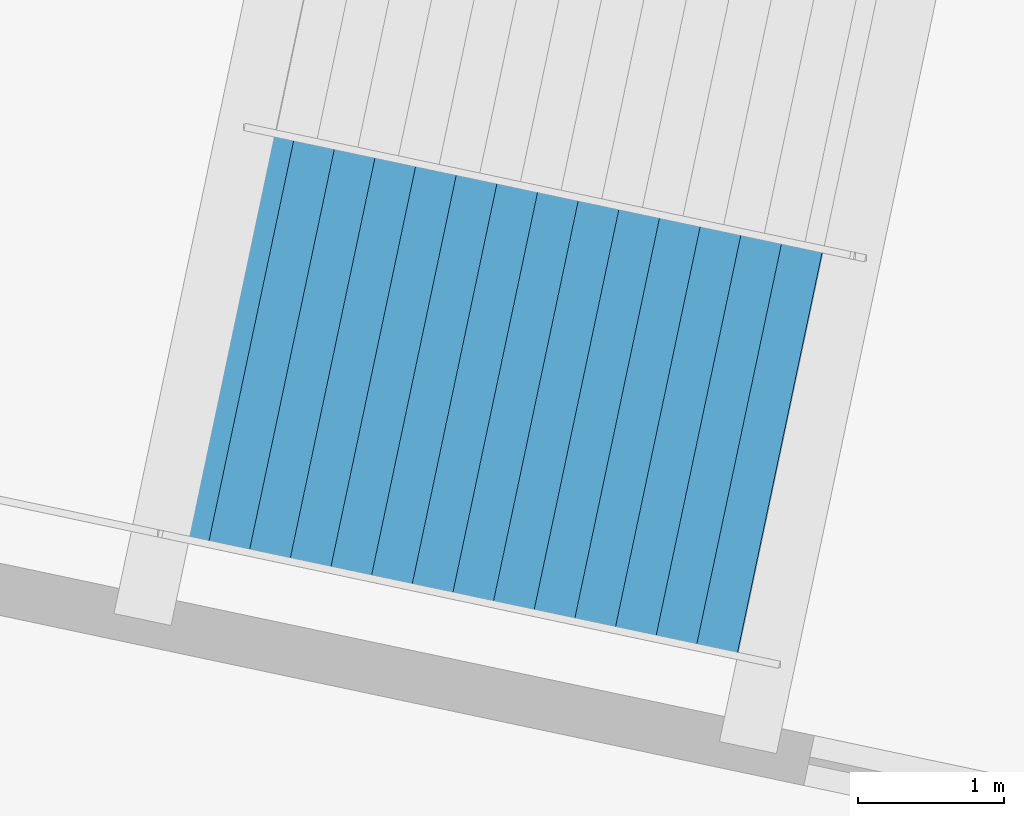
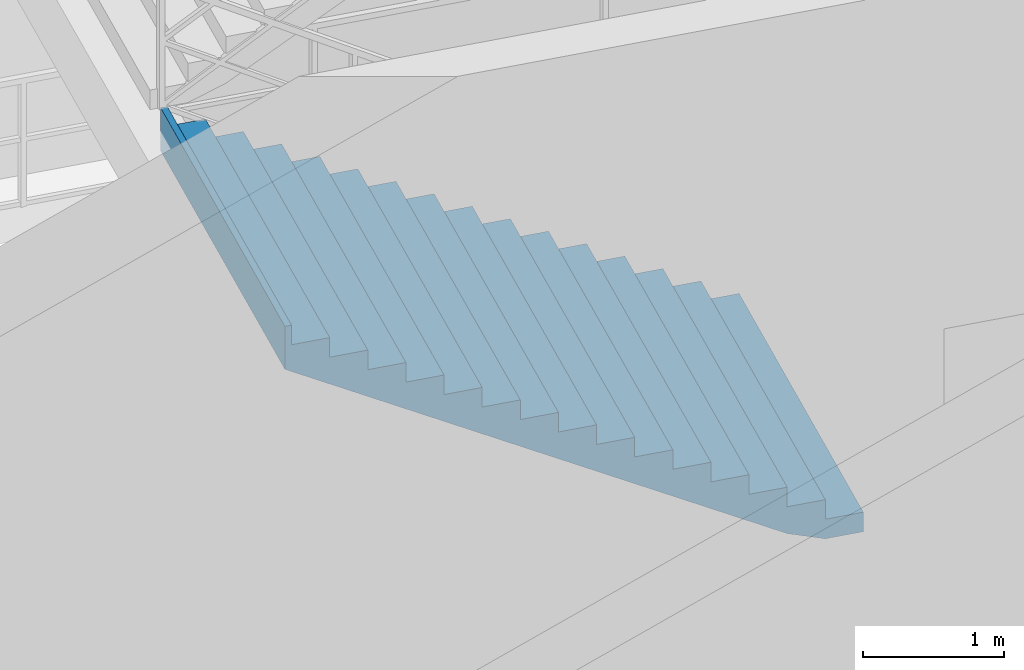
# One storey, part 167 of 186: 1 stair flight, 1 element without a shape of its own.
"""IFC4 building model written with IfcOpenShell, lengths in metres."""

from ifc_helpers import new_model, si_unit, direction, frame, origin, place, context, subcontext, project, spatial, polygons, material, type_object, element, aggregate, save


model = new_model("IFC4")

# Units and contexts
model_context = context("Model", 3, precision=1e-05, world=origin(), true_north=direction((0.0, 1.0)))
body_context = subcontext(model_context, "Body", "Model", "MODEL_VIEW")
ifc_project = project(units=[si_unit("LENGTHUNIT", "METRE"), si_unit("AREAUNIT", "SQUARE_METRE"), si_unit("VOLUMEUNIT", "CUBIC_METRE"), si_unit("PLANEANGLEUNIT", "RADIAN"), si_unit("MASSUNIT", "GRAM", prefix="KILO")], contexts=[model_context])

# Site, building, storey
site_placement = place(None, origin())
site = spatial("IfcSite", under=ifc_project, at=site_placement, CompositionType="ELEMENT")
building_placement = place(site_placement, origin())
building = spatial("IfcBuilding", under=site, at=building_placement, Name="Kazemori Nagisa Stadium", CompositionType="ELEMENT")
storey_placement = place(building_placement, frame((0.0, 0.0, 20.39990234375)))
storey = spatial("IfcBuildingStorey", under=building, at=storey_placement, Name="L04", CompositionType="ELEMENT", Elevation=20.39990234375)

# Stair, stair flight
ifc_material = material(Name="Concrete C36/45 (Fc36)", Category="concrete")
stair_type = type_object("IfcStairType", Name="Stair_CORE_32", PredefinedType="TWO_STRAIGHT_RUN_STAIR", material=ifc_material)
stair_placement = place(storey_placement, origin())
stair = element("IfcStair", 1, at=stair_placement, inside=storey, type_object=stair_type, Name="Exit stair ST11 L04", PredefinedType="TWO_STRAIGHT_RUN_STAIR")
stair_flight_type = type_object("IfcStairFlightType", Name="Flight_CORE_16", PredefinedType="STRAIGHT", material=ifc_material)
stair_flight_placement = place(storey_placement, frame((158.251953125, 176.464111328125, 0.0), z_axis=(0.0, 0.0, 1.0), x_axis=(-0.97834814647, 0.206965949612, 0.0)))
stair_flight = element("IfcStairFlight", 2, at=stair_flight_placement, type_object=stair_flight_type, Name="Exit stair ST11 L04 flight 1", NumberOfRisers=16, NumberOfTreads=15, PredefinedType="STRAIGHT", RiserHeight=0.17, TreadLength=0.285, context=body_context, shape_type="Tessellation", body=[
    polygons([(0.0, -1.425048828125, 0.0), (0.0, -1.425048828125, 0.169921875), (0.284912109375, -1.425048828125, 0.169921875), (0.284912109375, -1.425048828125, 0.340087890625), (0.570068359375, -1.425048828125, 0.340087890625), (0.570068359375, -1.425048828125, 0.510009765625), (0.85498046875, -1.425048828125, 0.510009765625), (0.85498046875, -1.425048828125, 0.679931640625), (1.139892578125, -1.425048828125, 0.679931640625), (1.139892578125, -1.425048828125, 0.85009765625), (1.425048828125, -1.425048828125, 0.85009765625), (1.425048828125, -1.425048828125, 1.02001953125), (1.7099609375, -1.425048828125, 1.02001953125), (1.7099609375, -1.425048828125, 1.18994140625), (1.9951171875, -1.425048828125, 1.18994140625), (1.9951171875, -1.425048828125, 1.360107421875), (2.280029296875, -1.425048828125, 1.360107421875), (2.280029296875, -1.425048828125, 1.530029296875), (2.56494140625, -1.425048828125, 1.530029296875), (2.56494140625, -1.425048828125, 1.699951171875), (2.85009765625, -1.425048828125, 1.699951171875), (2.85009765625, -1.425048828125, 1.8701171875), (3.135009765625, -1.425048828125, 1.8701171875), (3.135009765625, -1.425048828125, 2.0400390625), (3.419921875, -1.425048828125, 2.0400390625), (3.419921875, -1.425048828125, 2.2099609375), (3.705078125, -1.425048828125, 2.2099609375), (3.705078125, -1.425048828125, 2.3798828125), (3.989990234375, -1.425048828125, 2.3798828125), (3.989990234375, -1.425048828125, 2.550048828125), (4.27490234375, -1.425048828125, 2.550048828125), (4.27490234375, -1.425048828125, 2.719970703125), (4.324951171875, -1.425048828125, 2.719970703125), (4.324951171875, -1.425048828125, 2.346923828125), (4.27490234375, -1.425048828125, 2.317138671875), (3.989990234375, -1.425048828125, 2.147216796875), (3.705078125, -1.425048828125, 1.977294921875), (3.419921875, -1.425048828125, 1.80712890625), (3.135009765625, -1.425048828125, 1.63720703125), (2.85009765625, -1.425048828125, 1.46728515625), (2.56494140625, -1.425048828125, 1.297119140625), (2.280029296875, -1.425048828125, 1.127197265625), (1.9951171875, -1.425048828125, 0.957275390625), (1.7099609375, -1.425048828125, 0.787109375), (1.425048828125, -1.425048828125, 0.6171875), (1.139892578125, -1.425048828125, 0.447265625), (0.85498046875, -1.425048828125, 0.277099609375), (0.570068359375, -1.425048828125, 0.107177734375), (0.284912109375, -1.425048828125, 0.0), (0.0, -0.08544921875, 0.0), (0.0, -0.08544921875, 0.169921875), (0.284912109375, -0.08544921875, 0.169921875), (0.284912109375, -0.08544921875, 0.340087890625), (0.570068359375, -0.08544921875, 0.340087890625), (0.570068359375, -0.08544921875, 0.510009765625), (0.85498046875, -0.08544921875, 0.510009765625), (0.85498046875, -0.08544921875, 0.679931640625), (1.139892578125, -0.08544921875, 0.679931640625), (1.139892578125, -0.08544921875, 0.85009765625), (1.425048828125, -0.08544921875, 0.85009765625), (1.425048828125, -0.08544921875, 1.02001953125), (1.7099609375, -0.08544921875, 1.02001953125), (1.7099609375, -0.08544921875, 1.18994140625), (1.9951171875, -0.08544921875, 1.18994140625), (1.9951171875, -0.08544921875, 1.360107421875), (2.280029296875, -0.08544921875, 1.360107421875), (2.280029296875, -0.08544921875, 1.530029296875), (2.56494140625, -0.08544921875, 1.530029296875), (2.56494140625, -0.08544921875, 1.699951171875), (2.85009765625, -0.08544921875, 1.699951171875), (2.85009765625, -0.08544921875, 1.8701171875), (3.135009765625, -0.08544921875, 1.8701171875), (3.135009765625, -0.08544921875, 2.0400390625), (3.419921875, -0.08544921875, 2.0400390625), (3.419921875, -0.08544921875, 2.2099609375), (3.705078125, -0.08544921875, 2.2099609375), (3.705078125, -0.08544921875, 2.3798828125), (3.989990234375, -0.08544921875, 2.3798828125), (3.989990234375, -0.08544921875, 2.550048828125), (4.27490234375, -0.08544921875, 2.550048828125), (4.27490234375, -0.08544921875, 2.719970703125), (4.324951171875, -0.08544921875, 2.719970703125), (4.324951171875, -0.08544921875, 2.346923828125), (4.27490234375, -0.08544921875, 2.317138671875), (3.989990234375, -0.08544921875, 2.147216796875), (3.705078125, -0.08544921875, 1.977294921875), (3.419921875, -0.08544921875, 1.80712890625), (3.135009765625, -0.08544921875, 1.63720703125), (2.85009765625, -0.08544921875, 1.46728515625), (2.56494140625, -0.08544921875, 1.297119140625), (2.280029296875, -0.08544921875, 1.127197265625), (1.9951171875, -0.08544921875, 0.957275390625), (1.7099609375, -0.08544921875, 0.787109375), (1.425048828125, -0.08544921875, 0.6171875), (1.139892578125, -0.08544921875, 0.447265625), (0.85498046875, -0.08544921875, 0.277099609375), (0.570068359375, -0.08544921875, 0.107177734375), (0.284912109375, -0.08544921875, 0.0), (0.0, 0.0, 0.0), (0.0, 0.0, 0.169921875), (0.284912109375, 0.0, 0.169921875), (0.284912109375, 0.0, 0.340087890625), (0.570068359375, 0.0, 0.340087890625), (0.570068359375, 0.0, 0.510009765625), (0.85498046875, 0.0, 0.510009765625), (0.85498046875, 0.0, 0.679931640625), (1.139892578125, 0.0, 0.679931640625), (1.139892578125, 0.0, 0.85009765625), (1.425048828125, 0.0, 0.85009765625), (1.425048828125, 0.0, 1.02001953125), (1.7099609375, 0.0, 1.02001953125), (1.7099609375, 0.0, 1.18994140625), (1.9951171875, 0.0, 1.18994140625), (1.9951171875, 0.0, 1.360107421875), (2.280029296875, 0.0, 1.360107421875), (2.280029296875, 0.0, 1.530029296875), (2.56494140625, 0.0, 1.530029296875), (2.56494140625, 0.0, 1.699951171875), (2.85009765625, 0.0, 1.699951171875), (2.85009765625, 0.0, 1.8701171875), (3.135009765625, 0.0, 1.8701171875), (3.135009765625, 0.0, 2.0400390625), (3.419921875, 0.0, 2.0400390625), (3.419921875, 0.0, 2.2099609375), (3.705078125, 0.0, 2.2099609375), (3.705078125, 0.0, 2.3798828125), (3.989990234375, 0.0, 2.3798828125), (3.989990234375, 0.0, 2.550048828125), (4.27490234375, 0.0, 2.550048828125), (4.27490234375, 0.0, 2.719970703125), (4.324951171875, 0.0, 2.719970703125), (4.324951171875, 0.0, 2.346923828125), (4.27490234375, 0.0, 2.317138671875), (3.989990234375, 0.0, 2.147216796875), (3.705078125, 0.0, 1.977294921875), (3.419921875, 0.0, 1.80712890625), (3.135009765625, 0.0, 1.63720703125), (2.85009765625, 0.0, 1.46728515625), (2.56494140625, 0.0, 1.297119140625), (2.280029296875, 0.0, 1.127197265625), (1.9951171875, 0.0, 0.957275390625), (1.7099609375, 0.0, 0.787109375), (1.425048828125, 0.0, 0.6171875), (1.139892578125, 0.0, 0.447265625), (0.85498046875, 0.0, 0.277099609375), (0.570068359375, 0.0, 0.107177734375), (0.284912109375, 0.0, 0.0), (0.0, 0.08544921875, 0.0), (0.0, 0.08544921875, 0.169921875), (0.284912109375, 0.08544921875, 0.169921875), (0.284912109375, 0.08544921875, 0.340087890625), (0.570068359375, 0.08544921875, 0.340087890625), (0.570068359375, 0.08544921875, 0.510009765625), (0.85498046875, 0.08544921875, 0.510009765625), (0.85498046875, 0.08544921875, 0.679931640625), (1.139892578125, 0.08544921875, 0.679931640625), (1.139892578125, 0.08544921875, 0.85009765625), (1.425048828125, 0.08544921875, 0.85009765625), (1.425048828125, 0.08544921875, 1.02001953125), (1.7099609375, 0.08544921875, 1.02001953125), (1.7099609375, 0.08544921875, 1.18994140625), (1.9951171875, 0.08544921875, 1.18994140625), (1.9951171875, 0.08544921875, 1.360107421875), (2.280029296875, 0.08544921875, 1.360107421875), (2.280029296875, 0.08544921875, 1.530029296875), (2.56494140625, 0.08544921875, 1.530029296875), (2.56494140625, 0.08544921875, 1.699951171875), (2.85009765625, 0.08544921875, 1.699951171875), (2.85009765625, 0.08544921875, 1.8701171875), (3.135009765625, 0.08544921875, 1.8701171875), (3.135009765625, 0.08544921875, 2.0400390625), (3.419921875, 0.08544921875, 2.0400390625), (3.419921875, 0.08544921875, 2.2099609375), (3.705078125, 0.08544921875, 2.2099609375), (3.705078125, 0.08544921875, 2.3798828125), (3.989990234375, 0.08544921875, 2.3798828125), (3.989990234375, 0.08544921875, 2.550048828125), (4.27490234375, 0.08544921875, 2.550048828125), (4.27490234375, 0.08544921875, 2.719970703125), (4.324951171875, 0.08544921875, 2.719970703125), (4.324951171875, 0.08544921875, 2.346923828125), (4.27490234375, 0.08544921875, 2.317138671875), (3.989990234375, 0.08544921875, 2.147216796875), (3.705078125, 0.08544921875, 1.977294921875), (3.419921875, 0.08544921875, 1.80712890625), (3.135009765625, 0.08544921875, 1.63720703125), (2.85009765625, 0.08544921875, 1.46728515625), (2.56494140625, 0.08544921875, 1.297119140625), (2.280029296875, 0.08544921875, 1.127197265625), (1.9951171875, 0.08544921875, 0.957275390625), (1.7099609375, 0.08544921875, 0.787109375), (1.425048828125, 0.08544921875, 0.6171875), (1.139892578125, 0.08544921875, 0.447265625), (0.85498046875, 0.08544921875, 0.277099609375), (0.570068359375, 0.08544921875, 0.107177734375), (0.284912109375, 0.08544921875, 0.0), (0.0, 1.425048828125, 0.0), (0.0, 1.425048828125, 0.169921875), (0.284912109375, 1.425048828125, 0.169921875), (0.284912109375, 1.425048828125, 0.340087890625), (0.570068359375, 1.425048828125, 0.340087890625), (0.570068359375, 1.425048828125, 0.510009765625), (0.85498046875, 1.425048828125, 0.510009765625), (0.85498046875, 1.425048828125, 0.679931640625), (1.139892578125, 1.425048828125, 0.679931640625), (1.139892578125, 1.425048828125, 0.85009765625), (1.425048828125, 1.425048828125, 0.85009765625), (1.425048828125, 1.425048828125, 1.02001953125), (1.7099609375, 1.425048828125, 1.02001953125), (1.7099609375, 1.425048828125, 1.18994140625), (1.9951171875, 1.425048828125, 1.18994140625), (1.9951171875, 1.425048828125, 1.360107421875), (2.280029296875, 1.425048828125, 1.360107421875), (2.280029296875, 1.425048828125, 1.530029296875), (2.56494140625, 1.425048828125, 1.530029296875), (2.56494140625, 1.425048828125, 1.699951171875), (2.85009765625, 1.425048828125, 1.699951171875), (2.85009765625, 1.425048828125, 1.8701171875), (3.135009765625, 1.425048828125, 1.8701171875), (3.135009765625, 1.425048828125, 2.0400390625), (3.419921875, 1.425048828125, 2.0400390625), (3.419921875, 1.425048828125, 2.2099609375), (3.705078125, 1.425048828125, 2.2099609375), (3.705078125, 1.425048828125, 2.3798828125), (3.989990234375, 1.425048828125, 2.3798828125), (3.989990234375, 1.425048828125, 2.550048828125), (4.27490234375, 1.425048828125, 2.550048828125), (4.27490234375, 1.425048828125, 2.719970703125), (4.324951171875, 1.425048828125, 2.719970703125), (4.324951171875, 1.425048828125, 2.346923828125), (4.27490234375, 1.425048828125, 2.317138671875), (3.989990234375, 1.425048828125, 2.147216796875), (3.705078125, 1.425048828125, 1.977294921875), (3.419921875, 1.425048828125, 1.80712890625), (3.135009765625, 1.425048828125, 1.63720703125), (2.85009765625, 1.425048828125, 1.46728515625), (2.56494140625, 1.425048828125, 1.297119140625), (2.280029296875, 1.425048828125, 1.127197265625), (1.9951171875, 1.425048828125, 0.957275390625), (1.7099609375, 1.425048828125, 0.787109375), (1.425048828125, 1.425048828125, 0.6171875), (1.139892578125, 1.425048828125, 0.447265625), (0.85498046875, 1.425048828125, 0.277099609375), (0.570068359375, 1.425048828125, 0.107177734375), (0.284912109375, 1.425048828125, 0.0)], [[[1, 2, 51]], [[1, 51, 50]], [[2, 3, 52]], [[2, 52, 51]], [[3, 4, 53]], [[3, 53, 52]], [[4, 5, 54]], [[4, 54, 53]], [[5, 6, 55]], [[5, 55, 54]], [[6, 7, 56]], [[6, 56, 55]], [[7, 8, 57]], [[7, 57, 56]], [[8, 9, 58]], [[8, 58, 57]], [[9, 10, 59]], [[9, 59, 58]], [[10, 11, 60]], [[10, 60, 59]], [[11, 12, 61]], [[11, 61, 60]], [[12, 13, 62]], [[12, 62, 61]], [[13, 14, 63]], [[13, 63, 62]], [[14, 15, 64]], [[14, 64, 63]], [[15, 16, 65]], [[15, 65, 64]], [[16, 17, 66]], [[16, 66, 65]], [[17, 18, 67]], [[17, 67, 66]], [[18, 19, 68]], [[18, 68, 67]], [[19, 20, 69]], [[19, 69, 68]], [[20, 21, 70]], [[20, 70, 69]], [[21, 22, 71]], [[21, 71, 70]], [[22, 23, 72]], [[22, 72, 71]], [[23, 24, 73]], [[23, 73, 72]], [[24, 25, 74]], [[24, 74, 73]], [[25, 26, 75]], [[25, 75, 74]], [[26, 27, 76]], [[26, 76, 75]], [[27, 28, 77]], [[27, 77, 76]], [[28, 29, 78]], [[28, 78, 77]], [[29, 30, 79]], [[29, 79, 78]], [[30, 31, 80]], [[30, 80, 79]], [[31, 32, 81]], [[31, 81, 80]], [[32, 33, 82]], [[32, 82, 81]], [[33, 34, 83]], [[33, 83, 82]], [[34, 35, 84]], [[34, 84, 83]], [[35, 36, 85]], [[35, 85, 84]], [[36, 37, 86]], [[36, 86, 85]], [[37, 38, 87]], [[37, 87, 86]], [[38, 39, 88]], [[38, 88, 87]], [[39, 40, 89]], [[39, 89, 88]], [[40, 41, 90]], [[40, 90, 89]], [[41, 42, 91]], [[41, 91, 90]], [[42, 43, 92]], [[42, 92, 91]], [[43, 44, 93]], [[43, 93, 92]], [[44, 45, 94]], [[44, 94, 93]], [[45, 46, 95]], [[45, 95, 94]], [[46, 47, 96]], [[46, 96, 95]], [[47, 48, 97]], [[47, 97, 96]], [[48, 49, 98]], [[48, 98, 97]], [[49, 1, 50]], [[49, 50, 98]], [[50, 51, 100]], [[50, 100, 99]], [[51, 52, 101]], [[51, 101, 100]], [[52, 53, 102]], [[52, 102, 101]], [[53, 54, 103]], [[53, 103, 102]], [[54, 55, 104]], [[54, 104, 103]], [[55, 56, 105]], [[55, 105, 104]], [[56, 57, 106]], [[56, 106, 105]], [[57, 58, 107]], [[57, 107, 106]], [[58, 59, 108]], [[58, 108, 107]], [[59, 60, 109]], [[59, 109, 108]], [[60, 61, 110]], [[60, 110, 109]], [[61, 62, 111]], [[61, 111, 110]], [[62, 63, 112]], [[62, 112, 111]], [[63, 64, 113]], [[63, 113, 112]], [[64, 65, 114]], [[64, 114, 113]], [[65, 66, 115]], [[65, 115, 114]], [[66, 67, 116]], [[66, 116, 115]], [[67, 68, 117]], [[67, 117, 116]], [[68, 69, 118]], [[68, 118, 117]], [[69, 70, 119]], [[69, 119, 118]], [[70, 71, 120]], [[70, 120, 119]], [[71, 72, 121]], [[71, 121, 120]], [[72, 73, 122]], [[72, 122, 121]], [[73, 74, 123]], [[73, 123, 122]], [[74, 75, 124]], [[74, 124, 123]], [[75, 76, 125]], [[75, 125, 124]], [[76, 77, 126]], [[76, 126, 125]], [[77, 78, 127]], [[77, 127, 126]], [[78, 79, 128]], [[78, 128, 127]], [[79, 80, 129]], [[79, 129, 128]], [[80, 81, 130]], [[80, 130, 129]], [[81, 82, 131]], [[81, 131, 130]], [[82, 83, 132]], [[82, 132, 131]], [[83, 84, 133]], [[83, 133, 132]], [[84, 85, 134]], [[84, 134, 133]], [[85, 86, 135]], [[85, 135, 134]], [[86, 87, 136]], [[86, 136, 135]], [[87, 88, 137]], [[87, 137, 136]], [[88, 89, 138]], [[88, 138, 137]], [[89, 90, 139]], [[89, 139, 138]], [[90, 91, 140]], [[90, 140, 139]], [[91, 92, 141]], [[91, 141, 140]], [[92, 93, 142]], [[92, 142, 141]], [[93, 94, 143]], [[93, 143, 142]], [[94, 95, 144]], [[94, 144, 143]], [[95, 96, 145]], [[95, 145, 144]], [[96, 97, 146]], [[96, 146, 145]], [[97, 98, 147]], [[97, 147, 146]], [[98, 50, 99]], [[98, 99, 147]], [[99, 100, 149]], [[99, 149, 148]], [[100, 101, 150]], [[100, 150, 149]], [[101, 102, 151]], [[101, 151, 150]], [[102, 103, 152]], [[102, 152, 151]], [[103, 104, 153]], [[103, 153, 152]], [[104, 105, 154]], [[104, 154, 153]], [[105, 106, 155]], [[105, 155, 154]], [[106, 107, 156]], [[106, 156, 155]], [[107, 108, 157]], [[107, 157, 156]], [[108, 109, 158]], [[108, 158, 157]], [[109, 110, 159]], [[109, 159, 158]], [[110, 111, 160]], [[110, 160, 159]], [[111, 112, 161]], [[111, 161, 160]], [[112, 113, 162]], [[112, 162, 161]], [[113, 114, 163]], [[113, 163, 162]], [[114, 115, 164]], [[114, 164, 163]], [[115, 116, 165]], [[115, 165, 164]], [[116, 117, 166]], [[116, 166, 165]], [[117, 118, 167]], [[117, 167, 166]], [[118, 119, 168]], [[118, 168, 167]], [[119, 120, 169]], [[119, 169, 168]], [[120, 121, 170]], [[120, 170, 169]], [[121, 122, 171]], [[121, 171, 170]], [[122, 123, 172]], [[122, 172, 171]], [[123, 124, 173]], [[123, 173, 172]], [[124, 125, 174]], [[124, 174, 173]], [[125, 126, 175]], [[125, 175, 174]], [[126, 127, 176]], [[126, 176, 175]], [[127, 128, 177]], [[127, 177, 176]], [[128, 129, 178]], [[128, 178, 177]], [[129, 130, 179]], [[129, 179, 178]], [[130, 131, 180]], [[130, 180, 179]], [[131, 132, 181]], [[131, 181, 180]], [[132, 133, 182]], [[132, 182, 181]], [[133, 134, 183]], [[133, 183, 182]], [[134, 135, 184]], [[134, 184, 183]], [[135, 136, 185]], [[135, 185, 184]], [[136, 137, 186]], [[136, 186, 185]], [[137, 138, 187]], [[137, 187, 186]], [[138, 139, 188]], [[138, 188, 187]], [[139, 140, 189]], [[139, 189, 188]], [[140, 141, 190]], [[140, 190, 189]], [[141, 142, 191]], [[141, 191, 190]], [[142, 143, 192]], [[142, 192, 191]], [[143, 144, 193]], [[143, 193, 192]], [[144, 145, 194]], [[144, 194, 193]], [[145, 146, 195]], [[145, 195, 194]], [[146, 147, 196]], [[146, 196, 195]], [[147, 99, 148]], [[147, 148, 196]], [[148, 149, 198]], [[148, 198, 197]], [[149, 150, 199]], [[149, 199, 198]], [[150, 151, 200]], [[150, 200, 199]], [[151, 152, 201]], [[151, 201, 200]], [[152, 153, 202]], [[152, 202, 201]], [[153, 154, 203]], [[153, 203, 202]], [[154, 155, 204]], [[154, 204, 203]], [[155, 156, 205]], [[155, 205, 204]], [[156, 157, 206]], [[156, 206, 205]], [[157, 158, 207]], [[157, 207, 206]], [[158, 159, 208]], [[158, 208, 207]], [[159, 160, 209]], [[159, 209, 208]], [[160, 161, 210]], [[160, 210, 209]], [[161, 162, 211]], [[161, 211, 210]], [[162, 163, 212]], [[162, 212, 211]], [[163, 164, 213]], [[163, 213, 212]], [[164, 165, 214]], [[164, 214, 213]], [[165, 166, 215]], [[165, 215, 214]], [[166, 167, 216]], [[166, 216, 215]], [[167, 168, 217]], [[167, 217, 216]], [[168, 169, 218]], [[168, 218, 217]], [[169, 170, 219]], [[169, 219, 218]], [[170, 171, 220]], [[170, 220, 219]], [[171, 172, 221]], [[171, 221, 220]], [[172, 173, 222]], [[172, 222, 221]], [[173, 174, 223]], [[173, 223, 222]], [[174, 175, 224]], [[174, 224, 223]], [[175, 176, 225]], [[175, 225, 224]], [[176, 177, 226]], [[176, 226, 225]], [[177, 178, 227]], [[177, 227, 226]], [[178, 179, 228]], [[178, 228, 227]], [[179, 180, 229]], [[179, 229, 228]], [[180, 181, 230]], [[180, 230, 229]], [[181, 182, 231]], [[181, 231, 230]], [[182, 183, 232]], [[182, 232, 231]], [[183, 184, 233]], [[183, 233, 232]], [[184, 185, 234]], [[184, 234, 233]], [[185, 186, 235]], [[185, 235, 234]], [[186, 187, 236]], [[186, 236, 235]], [[187, 188, 237]], [[187, 237, 236]], [[188, 189, 238]], [[188, 238, 237]], [[189, 190, 239]], [[189, 239, 238]], [[190, 191, 240]], [[190, 240, 239]], [[191, 192, 241]], [[191, 241, 240]], [[192, 193, 242]], [[192, 242, 241]], [[193, 194, 243]], [[193, 243, 242]], [[194, 195, 244]], [[194, 244, 243]], [[195, 196, 245]], [[195, 245, 244]], [[196, 148, 197]], [[196, 197, 245]], [[3, 2, 1]], [[197, 198, 199]], [[49, 3, 1]], [[197, 199, 245]], [[48, 3, 49]], [[245, 199, 244]], [[5, 3, 48]], [[244, 199, 201]], [[5, 4, 3]], [[199, 200, 201]], [[47, 5, 48]], [[244, 201, 243]], [[7, 5, 47]], [[243, 201, 203]], [[7, 6, 5]], [[201, 202, 203]], [[46, 7, 47]], [[243, 203, 242]], [[9, 7, 46]], [[242, 203, 205]], [[9, 8, 7]], [[203, 204, 205]], [[45, 9, 46]], [[242, 205, 241]], [[11, 9, 45]], [[241, 205, 207]], [[11, 10, 9]], [[205, 206, 207]], [[44, 11, 45]], [[241, 207, 240]], [[13, 11, 44]], [[240, 207, 209]], [[13, 12, 11]], [[207, 208, 209]], [[43, 13, 44]], [[240, 209, 239]], [[15, 13, 43]], [[239, 209, 211]], [[15, 14, 13]], [[209, 210, 211]], [[42, 15, 43]], [[239, 211, 238]], [[17, 15, 42]], [[238, 211, 213]], [[17, 16, 15]], [[211, 212, 213]], [[41, 17, 42]], [[238, 213, 237]], [[19, 17, 41]], [[237, 213, 215]], [[19, 18, 17]], [[213, 214, 215]], [[40, 19, 41]], [[237, 215, 236]], [[21, 19, 40]], [[236, 215, 217]], [[21, 20, 19]], [[215, 216, 217]], [[39, 21, 40]], [[236, 217, 235]], [[23, 21, 39]], [[235, 217, 219]], [[23, 22, 21]], [[217, 218, 219]], [[38, 23, 39]], [[235, 219, 234]], [[25, 23, 38]], [[234, 219, 221]], [[25, 24, 23]], [[219, 220, 221]], [[37, 25, 38]], [[234, 221, 233]], [[27, 25, 37]], [[233, 221, 223]], [[27, 26, 25]], [[221, 222, 223]], [[36, 27, 37]], [[233, 223, 232]], [[29, 27, 36]], [[232, 223, 225]], [[29, 28, 27]], [[223, 224, 225]], [[35, 29, 36]], [[232, 225, 231]], [[31, 29, 35]], [[231, 225, 227]], [[31, 30, 29]], [[225, 226, 227]], [[34, 31, 35]], [[231, 227, 230]], [[33, 31, 34]], [[230, 227, 229]], [[33, 32, 31]], [[227, 228, 229]]], closed=True),
])
aggregate(stair, [stair_flight])

save(model, "model.ifc")
